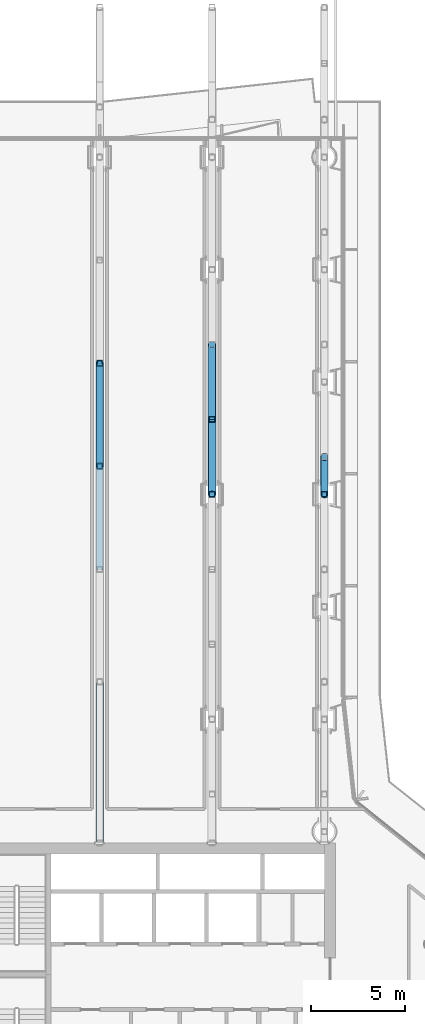
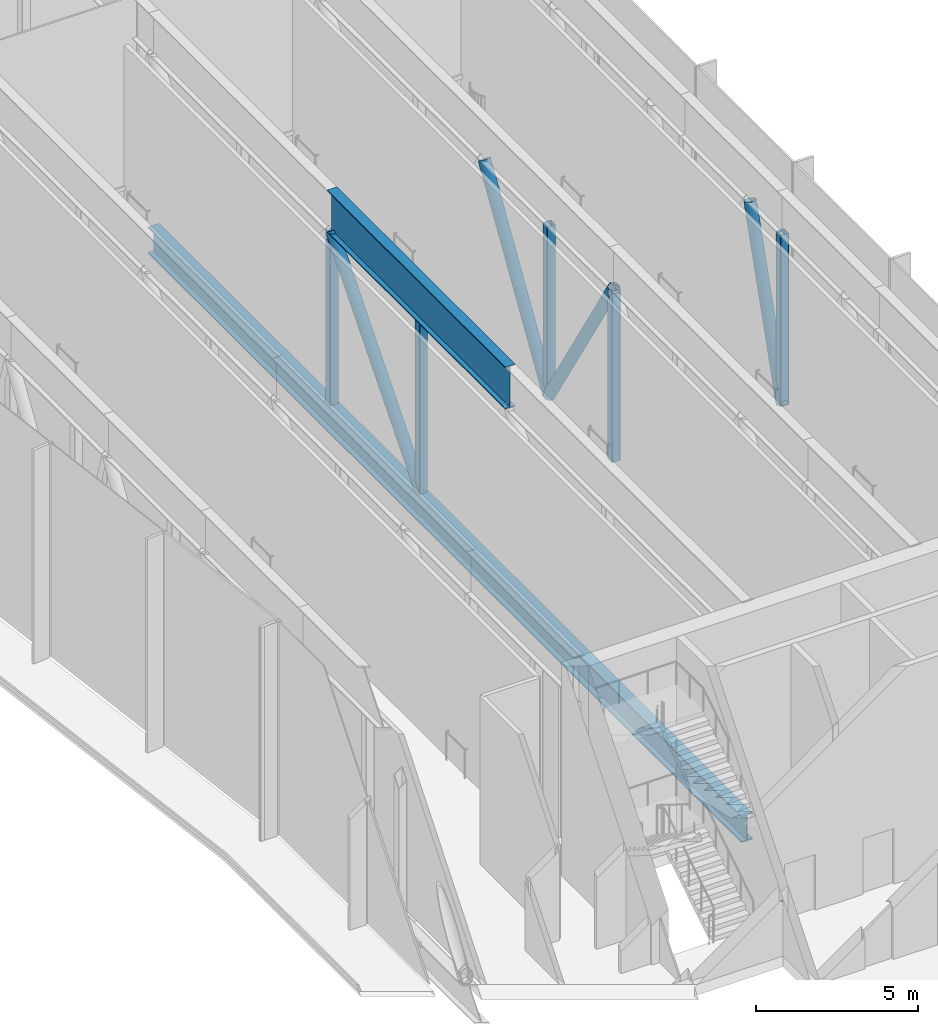
# One storey, part 7 of 22: 11 members.
"""IFC4 building model written with IfcOpenShell, lengths in metres."""

from ifc_helpers import new_model, si_unit, direction, frame, origin, origin_2d, place, context, subcontext, project, spatial, hollow_rectangle, hollow_circle, i_section, extrude, material, material_profile, profile_set, type_object, element, save


model = new_model("IFC4")

# Units and contexts
model_context = context("Model", 3, precision=1e-05, world=origin(), true_north=direction((0.0, 1.0)))
body_context = subcontext(model_context, "Body", "Model", "MODEL_VIEW")
ifc_project = project(units=[si_unit("LENGTHUNIT", "METRE"), si_unit("AREAUNIT", "SQUARE_METRE"), si_unit("VOLUMEUNIT", "CUBIC_METRE"), si_unit("PLANEANGLEUNIT", "RADIAN"), si_unit("MASSUNIT", "GRAM", prefix="KILO")], contexts=[model_context])

# Site, building, storey
site_placement = place(None, origin())
site = spatial("IfcSite", under=ifc_project, at=site_placement, CompositionType="ELEMENT")
building_placement = place(site_placement, origin())
building = spatial("IfcBuilding", under=site, at=building_placement, Name="Welwitschia Terrace Campus", CompositionType="ELEMENT")
storey_placement = place(building_placement, frame((0.0, 0.0, 197.0)))
storey = spatial("IfcBuildingStorey", under=building, at=storey_placement, Name="L44", CompositionType="ELEMENT", Elevation=197.0)

# Members
ifc_material_1 = material(Name="Steel S355", Category="steel")
ifc_material_profile_1 = material_profile(ifc_material_1, i_section(OverallWidth=0.39990234375, OverallDepth=1.0, WebThickness=0.02490234375, FlangeThickness=0.0400390625, at=origin_2d()))
ifc_profile_set_1 = profile_set([ifc_material_profile_1], Name="Steel S355")
member_type_1 = type_object("IfcMemberType", Name="Transfer truss C3 bottom chord WI 1000x400x25x40", PredefinedType="CHORD", material=ifc_profile_set_1)
member_1_placement = place(storey_placement, frame((12.0, 25.39990234375, -0.5), z_axis=(0.0, 1.0, 0.0), x_axis=(-1.0, 0.0, 0.0)))
element("IfcMember", 1, at=member_1_placement, inside=storey, type_object=member_type_1, Name="Truss bottom chord", PredefinedType="CHORD", context=body_context, shape_type="SweptSolid", body=[
    extrude(i_section(OverallWidth=0.39990234375, OverallDepth=1.0, WebThickness=0.02490234375, FlangeThickness=0.0400390625, at=origin_2d()), origin(), (0.0, 0.0, 1.0), 36.60009765625),
])
ifc_material_2 = material(Name="Steel S355", Category="steel")
ifc_material_profile_2 = material_profile(ifc_material_2, hollow_circle(Radius=0.203125, WallThickness=0.01611328125, at=origin_2d()))
ifc_profile_set_2 = profile_set([ifc_material_profile_2], Name="Steel S355")
member_type_2 = type_object("IfcMemberType", Name="Transfer truss C3 diagonal CHS 406.4x16", PredefinedType="BRACE", material=ifc_profile_set_2)
member_2_placement = place(storey_placement, frame((12.0, 45.5, 0.0), z_axis=(0.0, 0.648849017571, 0.760917178409), x_axis=(-1.0, 0.0, 0.0)))
element("IfcMember", 2, at=member_2_placement, inside=storey, type_object=member_type_2, Name="Truss diagonal", PredefinedType="BRACE", context=body_context, shape_type="SweptSolid", body=[
    extrude(hollow_circle(Radius=0.203125, WallThickness=0.01611328125, at=origin_2d()), origin(), (0.0, 0.0, 1.0), 8.4765625),
])
for number, where, z_axis, x_axis, name in (
    (3, (18.0, 48.0, 0.0), (0.0, -0.527037721004, 0.849841891553), (1.0, 0.0, 0.0), "Truss diagonal"),
    (4, (18.0, 48.0, 0.0), (0.0, 0.527037721004, 0.849841891553), (-1.0, 0.0, 0.0), "Truss diagonal"),
):
    element("IfcMember", number, at=place(storey_placement, frame(where, z_axis=z_axis, x_axis=x_axis)), inside=storey, type_object=member_type_2, Name=name, PredefinedType="BRACE", context=body_context, shape_type="SweptSolid", body=[
        extrude(hollow_circle(Radius=0.203125, WallThickness=0.01611328125, at=origin_2d()), origin(), (0.0, 0.0, 1.0), 7.589599609375),
    ])
member_3_placement = place(storey_placement, frame((24.0, 44.0, 0.0), z_axis=(0.0, 0.296168365803, 0.955135749042), x_axis=(-1.0, 0.0, 0.0)))
element("IfcMember", 5, at=member_3_placement, inside=storey, type_object=member_type_2, Name="Truss diagonal", PredefinedType="BRACE", context=body_context, shape_type="SweptSolid", body=[
    extrude(hollow_circle(Radius=0.203125, WallThickness=0.01611328125, at=origin_2d()), origin(), (0.0, 0.0, 1.0), 6.7529296875),
])
ifc_material_3 = material(Name="Steel S355", Category="steel")
ifc_material_profile_3 = material_profile(ifc_material_3, hollow_rectangle(XDim=0.300048828125, YDim=0.300048828125, WallThickness=0.01611328125, InnerFilletRadius=0.01611328125, OuterFilletRadius=0.02392578125, at=origin_2d()))
ifc_profile_set_3 = profile_set([ifc_material_profile_3], Name="Steel S355")
member_type_3 = type_object("IfcMemberType", Name="Transfer truss C3 post SHS 300x300x16", PredefinedType="POST", material=ifc_profile_set_3)
for number, where, z_axis, x_axis, name in (
    (6, (12.0, 45.5, 0.0), (0.0, 0.0, 1.0), (1.0, 0.0, 0.0), "Truss post"),
    (7, (12.0, 51.0, 0.0), (0.0, 0.0, 1.0), (1.0, 0.0, 0.0), "Truss post"),
    (8, (18.0, 44.0, 0.0), (0.0, 0.0, 1.0), (1.0, 0.0, 0.0), "Truss post"),
    (9, (18.0, 48.0, 0.0), (0.0, 0.0, 1.0), (1.0, 0.0, 0.0), "Truss post"),
    (10, (24.0, 44.0, 0.0), (0.0, 0.0, 1.0), (1.0, 0.0, 0.0), "Truss post"),
):
    element("IfcMember", number, at=place(storey_placement, frame(where, z_axis=z_axis, x_axis=x_axis)), inside=storey, type_object=member_type_3, Name=name, PredefinedType="POST", context=body_context, shape_type="SweptSolid", body=[
        extrude(hollow_rectangle(XDim=0.300048828125, YDim=0.300048828125, WallThickness=0.01611328125, InnerFilletRadius=0.01611328125, OuterFilletRadius=0.02392578125, at=origin_2d()), origin(), (0.0, 0.0, 1.0), 6.449951171875),
    ])
ifc_material_4 = material(Name="Steel S355", Category="steel")
ifc_material_profile_4 = material_profile(ifc_material_4, i_section(OverallWidth=0.35009765625, OverallDepth=1.60009765625, WebThickness=0.02490234375, FlangeThickness=0.0400390625, at=origin_2d()))
ifc_profile_set_4 = profile_set([ifc_material_profile_4], Name="Steel S355")
member_type_4 = type_object("IfcMemberType", Name="Transfer truss C3 top chord WI 1600x350x25x40", PredefinedType="CHORD", material=ifc_profile_set_4)
member_4_placement = place(storey_placement, frame((12.0, 40.0, 7.25), z_axis=(0.0, 1.0, 0.0), x_axis=(-1.0, 0.0, 0.0)))
element("IfcMember", 11, at=member_4_placement, inside=storey, type_object=member_type_4, Name="Truss top chord", PredefinedType="CHORD", context=body_context, shape_type="SweptSolid", body=[
    extrude(i_section(OverallWidth=0.35009765625, OverallDepth=1.60009765625, WebThickness=0.02490234375, FlangeThickness=0.0400390625, at=origin_2d()), origin(), (0.0, 0.0, 1.0), 11.0),
])

save(model, "model.ifc")
